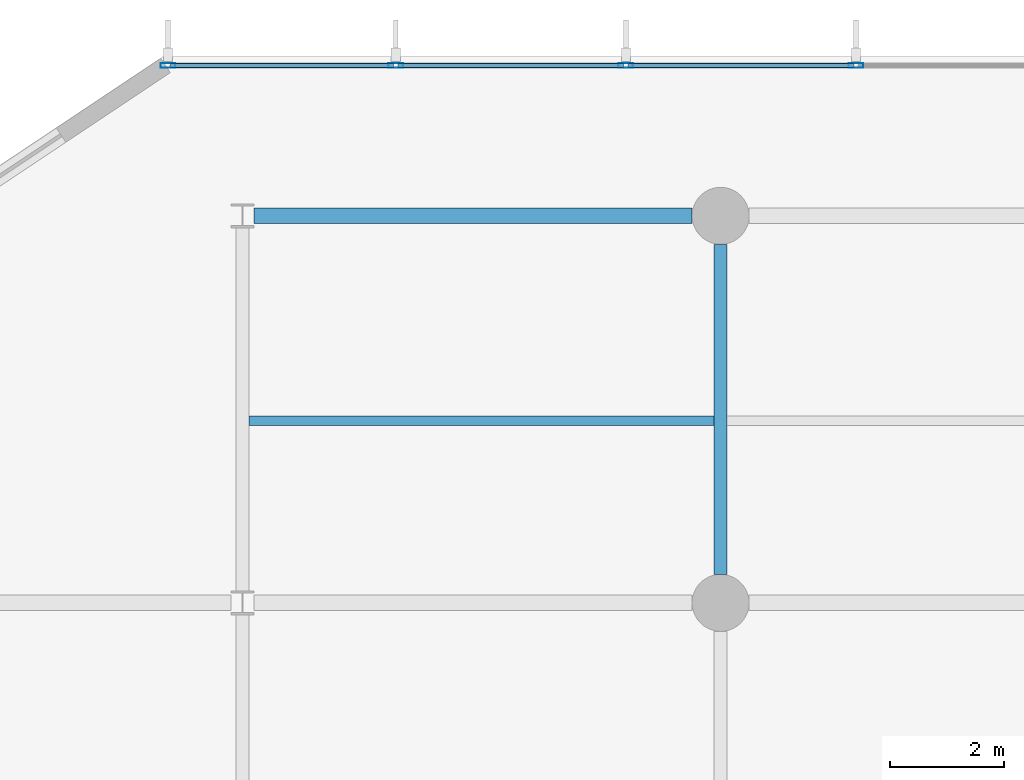
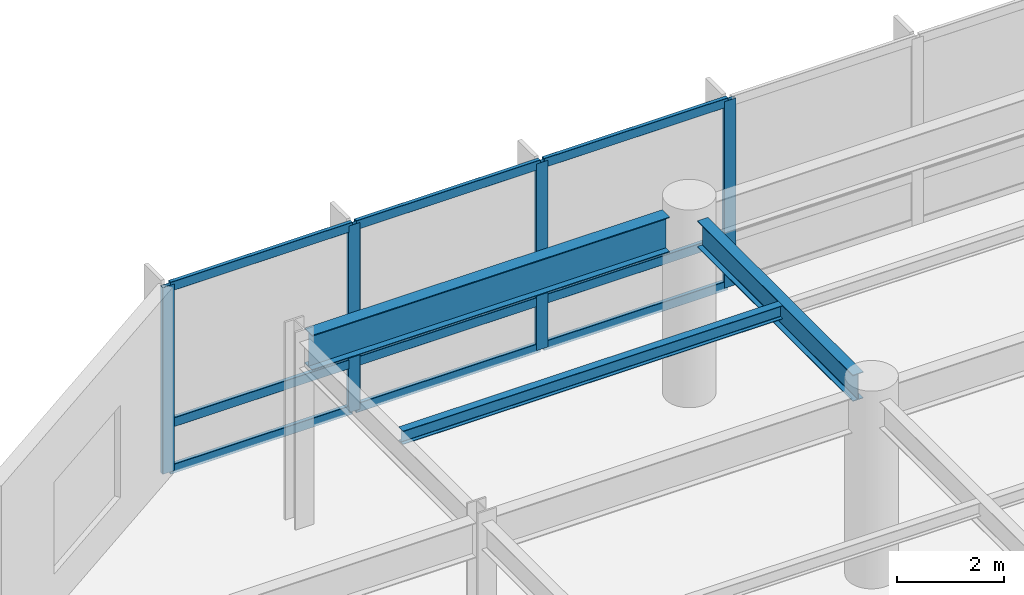
# One storey, part 5 of 26: 13 members, 3 beams, 1 element without a shape of its own.
"""IFC4 building model written with IfcOpenShell, lengths in metres."""

from ifc_helpers import new_model, si_unit, direction, frame, origin, origin_2d, place, context, subcontext, project, spatial, hollow_rectangle, i_section, extrude, material, layer, layer_set, material_profile, profile_set, type_object, element, aggregate, save


model = new_model("IFC4")

# Units and contexts
model_context = context("Model", 3, precision=1e-05, world=origin(), true_north=direction((0.0, 1.0)))
body_context = subcontext(model_context, "Body", "Model", "MODEL_VIEW")
ifc_project = project(units=[si_unit("LENGTHUNIT", "METRE"), si_unit("AREAUNIT", "SQUARE_METRE"), si_unit("VOLUMEUNIT", "CUBIC_METRE"), si_unit("PLANEANGLEUNIT", "RADIAN"), si_unit("MASSUNIT", "GRAM", prefix="KILO")], contexts=[model_context])

# Site, building, storey
site_placement = place(None, origin())
site = spatial("IfcSite", under=ifc_project, at=site_placement, CompositionType="ELEMENT")
building_placement = place(site_placement, origin())
building = spatial("IfcBuilding", under=site, at=building_placement, Name="Varnakote Quay Hospital", CompositionType="ELEMENT")
storey_placement = place(building_placement, frame((0.0, 0.0, 4.5)))
storey = spatial("IfcBuildingStorey", under=building, at=storey_placement, Name="L01", CompositionType="ELEMENT", Elevation=4.5)

# Beams
ifc_material_1 = material(Name="Structural steel AS/NZS 3679.1 Grade 350 L0 (fy 340 MPa)", Category="steel")
ifc_material_profile_1 = material_profile(ifc_material_1, i_section(OverallWidth=0.22802734375, OverallDepth=0.60205078125, WebThickness=0.010498046875, FlangeThickness=0.014892578125, FilletRadius=0.013916015625, at=origin_2d()), Name="610UB101")
ifc_profile_set_1 = profile_set([ifc_material_profile_1], Name="Structural steel AS/NZS 3679.1 Grade 350 L0 (fy 340 MPa)")
beam_type_1 = type_object("IfcBeamType", Name="BM-STL-610UB101", PredefinedType="BEAM", material=ifc_profile_set_1)
beam_1_placement = place(storey_placement, frame((58.800048828125, 37.699951171875, 3.948974609375), z_axis=(0.0, 1.0, 0.0), x_axis=(-1.0, 0.0, 0.0)))
element("IfcBeam", 1, at=beam_1_placement, inside=storey, type_object=beam_type_1, Name="L01 Primary Tie Beam", PredefinedType="BEAM", context=body_context, shape_type="SweptSolid", body=[
    extrude(i_section(OverallWidth=0.22802734375, OverallDepth=0.60205078125, WebThickness=0.010498046875, FlangeThickness=0.014892578125, FilletRadius=0.013916015625, at=origin_2d()), origin(), (0.0, 0.0, 1.0), 5.800048828125),
])
ifc_material_2 = material(Name="Structural steel AS/NZS 3678 Grade 350 (fy 340 MPa)", Category="steel")
ifc_material_profile_2 = material_profile(ifc_material_2, i_section(OverallWidth=0.27490234375, OverallDepth=0.800048828125, WebThickness=0.010009765625, FlangeThickness=0.02001953125, at=origin_2d()), Name="800WB146")
ifc_profile_set_2 = profile_set([ifc_material_profile_2], Name="Structural steel AS/NZS 3678 Grade 350 (fy 340 MPa)")
beam_type_2 = type_object("IfcBeamType", Name="BM-STL-800WB146", PredefinedType="BEAM", material=ifc_profile_set_2)
beam_2_placement = place(storey_placement, frame((50.60009765625, 44.0, 3.85009765625), z_axis=(1.0, 0.0, 0.0), x_axis=(0.0, 1.0, 0.0)))
element("IfcBeam", 2, at=beam_2_placement, inside=storey, type_object=beam_type_2, Name="L01 Primary Floor Beam", PredefinedType="BEAM", context=body_context, shape_type="SweptSolid", body=[
    extrude(i_section(OverallWidth=0.27490234375, OverallDepth=0.800048828125, WebThickness=0.010009765625, FlangeThickness=0.02001953125, at=origin_2d()), origin(), (0.0, 0.0, 1.0), 7.699951171875),
])

# Curtain wall, members
ifc_material_3 = material(Name="Anodised aluminium 6063-T6 Bronze", Category="aluminium")
ifc_layer = layer(ifc_material_3, 0.175048828125)
ifc_layer_set = layer_set([ifc_layer], Name="Anodised aluminium 6063-T6 Bronze")
curtain_wall_type = type_object("IfcCurtainWallType", Name="CW-SYS-1", PredefinedType="NOTDEFINED", material=ifc_layer_set)
curtain_wall_placement = place(storey_placement, origin())
curtain_wall = element("IfcCurtainWall", 3, at=curtain_wall_placement, inside=storey, type_object=curtain_wall_type, Name="L01 Unitised Bronze Curtain Wall 2", PredefinedType="NOTDEFINED")
ifc_material_4 = material(Name="Anodised aluminium 6063-T6 Bronze", Category="aluminium")
ifc_material_profile_3 = material_profile(ifc_material_4, hollow_rectangle(XDim=0.0849609375, YDim=0.260009765625, WallThickness=0.0048828125, InnerFilletRadius=0.0048828125, OuterFilletRadius=0.010009765625, at=origin_2d()), Name="CW-MULL-260x85")
ifc_profile_set_3 = profile_set([ifc_material_profile_3], Name="Anodised aluminium 6063-T6 Bronze")
member_type_1 = type_object("IfcMemberType", Name="CW-MULL-260x85", PredefinedType="MULLION", material=ifc_profile_set_3)
member_1_placement = place(storey_placement, frame((61.178955078125, 46.639892578125, 0.0), z_axis=(0.0, 0.0, 1.0), x_axis=(0.0, -1.0, 0.0)))
member_1 = element("IfcMember", 4, at=member_1_placement, type_object=member_type_1, Name="-1-L01-2 mullion 7", PredefinedType="MULLION", context=body_context, shape_type="SweptSolid", body=[
    extrude(hollow_rectangle(XDim=0.0849609375, YDim=0.260009765625, WallThickness=0.0048828125, InnerFilletRadius=0.0048828125, OuterFilletRadius=0.010009765625, at=origin_2d()), origin(), (0.0, 0.0, 1.0), 4.25),
])
member_2_placement = place(storey_placement, frame((57.135498046875, 46.639892578125, 0.0), z_axis=(0.0, 0.0, 1.0), x_axis=(0.0, -1.0, 0.0)))
member_2 = element("IfcMember", 5, at=member_2_placement, type_object=member_type_1, Name="-1-L01-2 mullion 8", PredefinedType="MULLION", context=body_context, shape_type="SweptSolid", body=[
    extrude(hollow_rectangle(XDim=0.0849609375, YDim=0.260009765625, WallThickness=0.0048828125, InnerFilletRadius=0.0048828125, OuterFilletRadius=0.010009765625, at=origin_2d()), origin(), (0.0, 0.0, 1.0), 4.25),
])
member_3_placement = place(storey_placement, frame((53.091796875, 46.639892578125, 0.0), z_axis=(0.0, 0.0, 1.0), x_axis=(0.0, -1.0, 0.0)))
member_3 = element("IfcMember", 6, at=member_3_placement, type_object=member_type_1, Name="-1-L01-2 mullion 9", PredefinedType="MULLION", context=body_context, shape_type="SweptSolid", body=[
    extrude(hollow_rectangle(XDim=0.0849609375, YDim=0.260009765625, WallThickness=0.0048828125, InnerFilletRadius=0.0048828125, OuterFilletRadius=0.010009765625, at=origin_2d()), origin(), (0.0, 0.0, 1.0), 4.25),
])
member_4_placement = place(storey_placement, frame((49.0908203125, 46.639892578125, 0.0), z_axis=(0.0, 0.0, 1.0), x_axis=(0.0, -1.0, 0.0)))
member_4 = element("IfcMember", 7, at=member_4_placement, type_object=member_type_1, Name="-1-L01-2 mullion 10", PredefinedType="MULLION", context=body_context, shape_type="SweptSolid", body=[
    extrude(hollow_rectangle(XDim=0.0849609375, YDim=0.260009765625, WallThickness=0.0048828125, InnerFilletRadius=0.0048828125, OuterFilletRadius=0.010009765625, at=origin_2d()), origin(), (0.0, 0.0, 1.0), 4.25),
])
ifc_material_5 = material(Name="Anodised aluminium 6063-T6 Bronze", Category="aluminium")
ifc_material_profile_4 = material_profile(ifc_material_5, hollow_rectangle(XDim=0.0849609375, YDim=0.2099609375, WallThickness=0.00439453125, InnerFilletRadius=0.00439453125, OuterFilletRadius=0.009033203125, at=origin_2d()), Name="CW-TRAN-210x85")
ifc_profile_set_4 = profile_set([ifc_material_profile_4], Name="Anodised aluminium 6063-T6 Bronze")
member_type_2 = type_object("IfcMemberType", Name="CW-TRAN-210x85", PredefinedType="USERDEFINED", material=ifc_profile_set_4)
member_5_placement = place(storey_placement, frame((61.136474609375, 46.639892578125, 0.04248046875), z_axis=(-1.0, 0.0, 0.0), x_axis=(0.0, -1.0, 0.0)))
member_5 = element("IfcMember", 8, at=member_5_placement, type_object=member_type_2, Name="-1-L01-2 transom 7.1", ObjectType="TRANSOM", PredefinedType="USERDEFINED", context=body_context, shape_type="SweptSolid", body=[
    extrude(hollow_rectangle(XDim=0.0849609375, YDim=0.2099609375, WallThickness=0.00439453125, InnerFilletRadius=0.00439453125, OuterFilletRadius=0.009033203125, at=origin_2d()), origin(), (0.0, 0.0, 1.0), 3.95849609375),
])
member_6_placement = place(storey_placement, frame((61.136474609375, 46.639892578125, 1.10009765625), z_axis=(-1.0, 0.0, 0.0), x_axis=(0.0, -1.0, 0.0)))
member_6 = element("IfcMember", 9, at=member_6_placement, type_object=member_type_2, Name="-1-L01-2 transom 7.2", ObjectType="TRANSOM", PredefinedType="USERDEFINED", context=body_context, shape_type="SweptSolid", body=[
    extrude(hollow_rectangle(XDim=0.0849609375, YDim=0.2099609375, WallThickness=0.00439453125, InnerFilletRadius=0.00439453125, OuterFilletRadius=0.009033203125, at=origin_2d()), origin(), (0.0, 0.0, 1.0), 3.95849609375),
])
member_7_placement = place(storey_placement, frame((61.136474609375, 46.639892578125, 4.20751953125), z_axis=(-1.0, 0.0, 0.0), x_axis=(0.0, -1.0, 0.0)))
member_7 = element("IfcMember", 10, at=member_7_placement, type_object=member_type_2, Name="-1-L01-2 transom 7.3", ObjectType="TRANSOM", PredefinedType="USERDEFINED", context=body_context, shape_type="SweptSolid", body=[
    extrude(hollow_rectangle(XDim=0.0849609375, YDim=0.2099609375, WallThickness=0.00439453125, InnerFilletRadius=0.00439453125, OuterFilletRadius=0.009033203125, at=origin_2d()), origin(), (0.0, 0.0, 1.0), 3.95849609375),
])
member_8_placement = place(storey_placement, frame((57.093017578125, 46.639892578125, 0.04248046875), z_axis=(-1.0, 0.0, 0.0), x_axis=(0.0, -1.0, 0.0)))
member_8 = element("IfcMember", 11, at=member_8_placement, type_object=member_type_2, Name="-1-L01-2 transom 8.1", ObjectType="TRANSOM", PredefinedType="USERDEFINED", context=body_context, shape_type="SweptSolid", body=[
    extrude(hollow_rectangle(XDim=0.0849609375, YDim=0.2099609375, WallThickness=0.00439453125, InnerFilletRadius=0.00439453125, OuterFilletRadius=0.009033203125, at=origin_2d()), origin(), (0.0, 0.0, 1.0), 3.95849609375),
])
member_9_placement = place(storey_placement, frame((57.093017578125, 46.639892578125, 1.10009765625), z_axis=(-1.0, 0.0, 0.0), x_axis=(0.0, -1.0, 0.0)))
member_9 = element("IfcMember", 12, at=member_9_placement, type_object=member_type_2, Name="-1-L01-2 transom 8.2", ObjectType="TRANSOM", PredefinedType="USERDEFINED", context=body_context, shape_type="SweptSolid", body=[
    extrude(hollow_rectangle(XDim=0.0849609375, YDim=0.2099609375, WallThickness=0.00439453125, InnerFilletRadius=0.00439453125, OuterFilletRadius=0.009033203125, at=origin_2d()), origin(), (0.0, 0.0, 1.0), 3.95849609375),
])
member_10_placement = place(storey_placement, frame((57.093017578125, 46.639892578125, 4.20751953125), z_axis=(-1.0, 0.0, 0.0), x_axis=(0.0, -1.0, 0.0)))
member_10 = element("IfcMember", 13, at=member_10_placement, type_object=member_type_2, Name="-1-L01-2 transom 8.3", ObjectType="TRANSOM", PredefinedType="USERDEFINED", context=body_context, shape_type="SweptSolid", body=[
    extrude(hollow_rectangle(XDim=0.0849609375, YDim=0.2099609375, WallThickness=0.00439453125, InnerFilletRadius=0.00439453125, OuterFilletRadius=0.009033203125, at=origin_2d()), origin(), (0.0, 0.0, 1.0), 3.95849609375),
])
member_11_placement = place(storey_placement, frame((53.04931640625, 46.639892578125, 0.04248046875), z_axis=(-1.0, 0.0, 0.0), x_axis=(0.0, -1.0, 0.0)))
member_11 = element("IfcMember", 14, at=member_11_placement, type_object=member_type_2, Name="-1-L01-2 transom 9.1", ObjectType="TRANSOM", PredefinedType="USERDEFINED", context=body_context, shape_type="SweptSolid", body=[
    extrude(hollow_rectangle(XDim=0.0849609375, YDim=0.2099609375, WallThickness=0.00439453125, InnerFilletRadius=0.00439453125, OuterFilletRadius=0.009033203125, at=origin_2d()), origin(), (0.0, 0.0, 1.0), 3.916015625),
])
member_12_placement = place(storey_placement, frame((53.04931640625, 46.639892578125, 1.10009765625), z_axis=(-1.0, 0.0, 0.0), x_axis=(0.0, -1.0, 0.0)))
member_12 = element("IfcMember", 15, at=member_12_placement, type_object=member_type_2, Name="-1-L01-2 transom 9.2", ObjectType="TRANSOM", PredefinedType="USERDEFINED", context=body_context, shape_type="SweptSolid", body=[
    extrude(hollow_rectangle(XDim=0.0849609375, YDim=0.2099609375, WallThickness=0.00439453125, InnerFilletRadius=0.00439453125, OuterFilletRadius=0.009033203125, at=origin_2d()), origin(), (0.0, 0.0, 1.0), 3.916015625),
])
member_13_placement = place(storey_placement, frame((53.04931640625, 46.639892578125, 4.20751953125), z_axis=(-1.0, 0.0, 0.0), x_axis=(0.0, -1.0, 0.0)))
member_13 = element("IfcMember", 16, at=member_13_placement, type_object=member_type_2, Name="-1-L01-2 transom 9.3", ObjectType="TRANSOM", PredefinedType="USERDEFINED", context=body_context, shape_type="SweptSolid", body=[
    extrude(hollow_rectangle(XDim=0.0849609375, YDim=0.2099609375, WallThickness=0.00439453125, InnerFilletRadius=0.00439453125, OuterFilletRadius=0.009033203125, at=origin_2d()), origin(), (0.0, 0.0, 1.0), 3.916015625),
])
aggregate(curtain_wall, [member_1, member_2, member_3, member_4, member_5, member_6, member_7, member_8, member_9, member_10, member_11, member_12, member_13])

# Beam
ifc_material_6 = material(Name="Structural steel AS/NZS 3679.1 Grade 350 L0 (fy 340 MPa)", Category="steel")
ifc_material_profile_5 = material_profile(ifc_material_6, i_section(OverallWidth=0.166015625, OverallDepth=0.306884765625, WebThickness=0.006591796875, FlangeThickness=0.01171875, FilletRadius=0.011474609375, at=origin_2d()), Name="310UB46.2")
ifc_profile_set_5 = profile_set([ifc_material_profile_5], Name="Structural steel AS/NZS 3679.1 Grade 350 L0 (fy 340 MPa)")
beam_type_3 = type_object("IfcBeamType", Name="JST-STL-310UB46-2", PredefinedType="JOIST", material=ifc_profile_set_5)
beam_3_placement = place(storey_placement, frame((50.513916015625, 40.39990234375, 4.096435546875), z_axis=(1.0, 0.0, 0.0), x_axis=(0.0, 1.0, 0.0)))
element("IfcBeam", 17, at=beam_3_placement, inside=storey, type_object=beam_type_3, Name="L01 Composite Floor Joist", PredefinedType="JOIST", context=body_context, shape_type="SweptSolid", body=[
    extrude(i_section(OverallWidth=0.166015625, OverallDepth=0.306884765625, WebThickness=0.006591796875, FlangeThickness=0.01171875, FilletRadius=0.011474609375, at=origin_2d()), origin(), (0.0, 0.0, 1.0), 8.172119140625),
])

save(model, "model.ifc")
